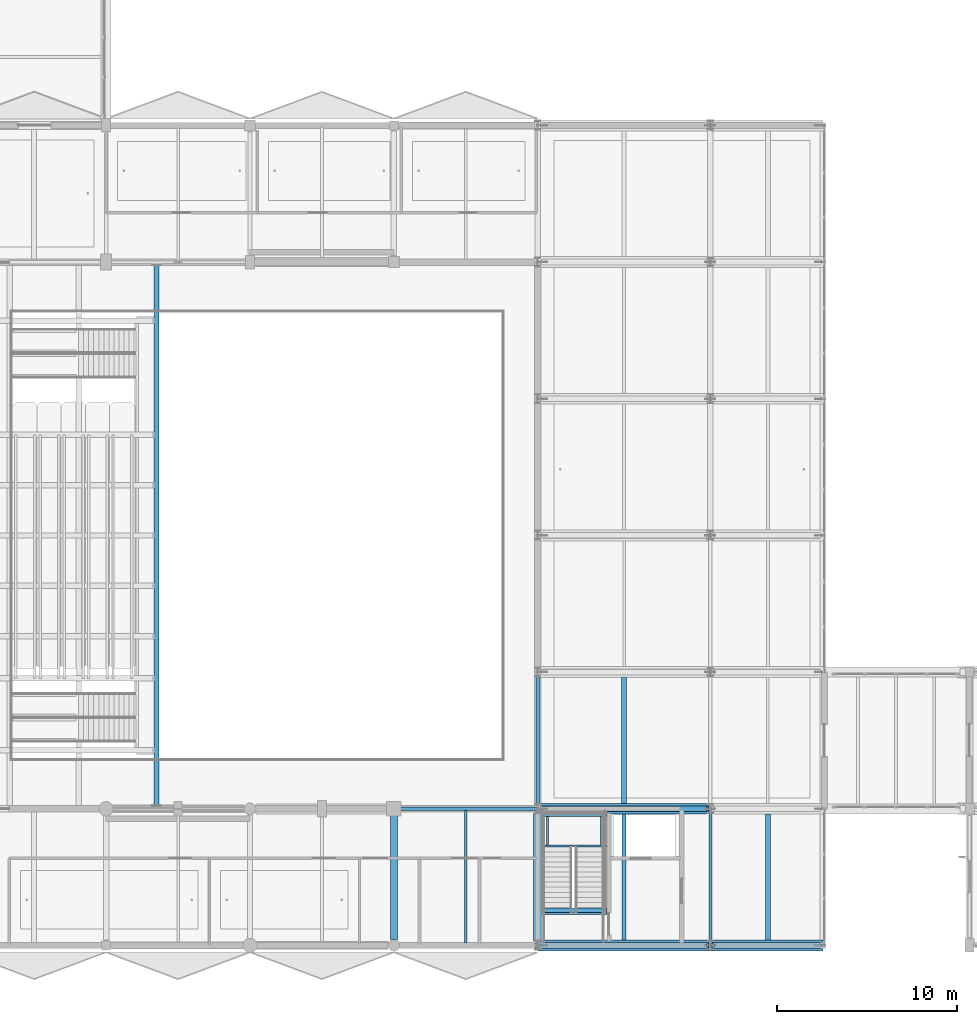
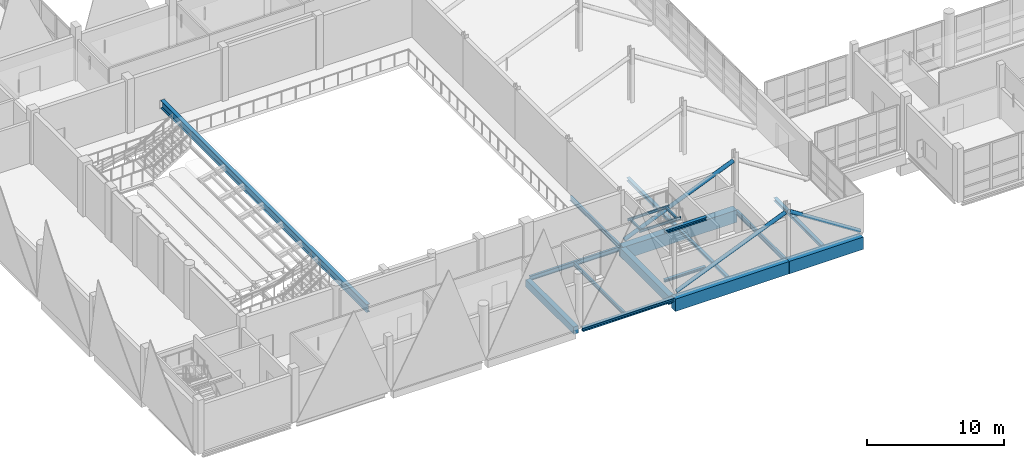
# One storey, part 12 of 141: 20 beams, 3 members.
"""IFC4 building model written with IfcOpenShell, lengths in metres."""

from ifc_helpers import new_model, si_unit, direction, frame, origin, origin_2d, place, context, subcontext, project, spatial, rectangle, hollow_circle, i_section, extrude, material, material_profile, profile_set, type_object, element, save


model = new_model("IFC4")

# Units and contexts
model_context = context("Model", 3, precision=1e-05, world=origin(), true_north=direction((0.0, 1.0)))
body_context = subcontext(model_context, "Body", "Model", "MODEL_VIEW")
ifc_project = project(units=[si_unit("LENGTHUNIT", "METRE"), si_unit("AREAUNIT", "SQUARE_METRE"), si_unit("VOLUMEUNIT", "CUBIC_METRE"), si_unit("PLANEANGLEUNIT", "RADIAN"), si_unit("MASSUNIT", "GRAM", prefix="KILO")], contexts=[model_context])

# Site, building, storey
site_placement = place(None, origin())
site = spatial("IfcSite", under=ifc_project, at=site_placement, CompositionType="ELEMENT")
building_placement = place(site_placement, origin())
building = spatial("IfcBuilding", under=site, at=building_placement, Name="Khelvaren Railside Concert Hall", CompositionType="ELEMENT")
storey_placement = place(building_placement, frame((0.0, 0.0, 10.199951171875)))
storey = spatial("IfcBuildingStorey", under=building, at=storey_placement, Name="L02", CompositionType="ELEMENT", Elevation=10.199951171875)

# Beams
ifc_material_1 = material(Name="Steel S355", Category="steel")
ifc_material_profile_1 = material_profile(ifc_material_1, i_section(OverallWidth=0.179931640625, OverallDepth=0.39990234375, WebThickness=0.008544921875, FlangeThickness=0.013427734375, FilletRadius=0.02099609375, at=origin_2d()), Name="IPE 400")
ifc_profile_set_1 = profile_set([ifc_material_profile_1], Name="Steel S355")
beam_type_1 = type_object("IfcBeamType", Name="BM29", PredefinedType="BEAM", material=ifc_profile_set_1)
beam_1_placement = place(storey_placement, frame((32.27294921875, 7.60009765625, -0.489990234375), z_axis=(1.0, 0.0, 0.0), x_axis=(0.0, 1.0, 0.0)))
element("IfcBeam", 1, at=beam_1_placement, inside=storey, type_object=beam_type_1, Name="V1 L02 Beam X2.5", PredefinedType="BEAM", context=body_context, shape_type="SweptSolid", body=[
    extrude(i_section(OverallWidth=0.179931640625, OverallDepth=0.39990234375, WebThickness=0.008544921875, FlangeThickness=0.013427734375, FilletRadius=0.02099609375, at=origin_2d()), origin(), (0.0, 0.0, 1.0), 7.717041015625),
])
beam_2_placement = place(storey_placement, frame((40.0, 7.85009765625, -0.489990234375), z_axis=(0.0, 1.0, 0.0), x_axis=(-1.0, 0.0, 0.0)))
element("IfcBeam", 2, at=beam_2_placement, inside=storey, type_object=beam_type_1, Name="V1 L02 Beam Y6.2", PredefinedType="BEAM", context=body_context, shape_type="SweptSolid", body=[
    extrude(i_section(OverallWidth=0.179931640625, OverallDepth=0.39990234375, WebThickness=0.008544921875, FlangeThickness=0.013427734375, FilletRadius=0.02099609375, at=origin_2d()), origin(), (0.0, 0.0, 1.0), 7.099853515625),
])
beam_3_placement = place(storey_placement, frame((49.60009765625, 0.25, -0.489990234375), z_axis=(0.0, 1.0, 0.0), x_axis=(-1.0, 0.0, 0.0)))
element("IfcBeam", 3, at=beam_3_placement, inside=storey, type_object=beam_type_1, Name="V1 L02 Beam Y7.1", PredefinedType="BEAM", context=body_context, shape_type="SweptSolid", body=[
    extrude(i_section(OverallWidth=0.179931640625, OverallDepth=0.39990234375, WebThickness=0.008544921875, FlangeThickness=0.013427734375, FilletRadius=0.02099609375, at=origin_2d()), origin(), (0.0, 0.0, 1.0), 7.10009765625),
])
ifc_material_2 = material(Name="Concrete C40/50", Category="concrete")
ifc_material_profile_2 = material_profile(ifc_material_2, rectangle(XDim=0.39990234375, YDim=0.64990234375, at=origin_2d()), Name="RCB 400x650")
ifc_profile_set_2 = profile_set([ifc_material_profile_2], Name="Concrete C40/50")
beam_type_2 = type_object("IfcBeamType", Name="BM33", PredefinedType="BEAM", material=ifc_profile_set_2)
beam_4_placement = place(storey_placement, frame((32.0, 0.3359375, -0.614990234375), z_axis=(0.0, 1.0, 0.0), x_axis=(-1.0, 0.0, 0.0)))
element("IfcBeam", 4, at=beam_4_placement, inside=storey, type_object=beam_type_2, Name="V1 L02 Beam Y5.1", PredefinedType="BEAM", context=body_context, shape_type="SweptSolid", body=[
    extrude(rectangle(XDim=0.39990234375, YDim=0.64990234375, at=origin_2d()), origin(), (0.0, 0.0, 1.0), 6.990966796875),
])
ifc_material_profile_3 = material_profile(ifc_material_1, i_section(OverallWidth=0.239990234375, OverallDepth=0.22998046875, WebThickness=0.007568359375, FlangeThickness=0.011962890625, FilletRadius=0.02099609375, at=origin_2d()), Name="HEA 240")
ifc_profile_set_3 = profile_set([ifc_material_profile_3], Name="Steel S355")
beam_type_3 = type_object("IfcBeamType", Name="BM42", PredefinedType="BEAM", material=ifc_profile_set_3)
beam_5_placement = place(storey_placement, frame((40.344970703125, 1.960693359375, -0.114990234375), z_axis=(1.0, 0.0, 0.0), x_axis=(0.0, 1.0, 0.0)))
element("IfcBeam", 5, at=beam_5_placement, inside=storey, type_object=beam_type_3, Name="ST-02 L02 Stair Foot Trimmer Beam", PredefinedType="BEAM", context=body_context, shape_type="SweptSolid", body=[
    extrude(i_section(OverallWidth=0.239990234375, OverallDepth=0.22998046875, WebThickness=0.007568359375, FlangeThickness=0.011962890625, FilletRadius=0.02099609375, at=origin_2d()), origin(), (0.0, 0.0, 1.0), 3.4951171875),
])
ifc_material_profile_4 = material_profile(ifc_material_2, rectangle(XDim=0.449951171875, YDim=0.75, at=origin_2d()), Name="RCB 450x750")
ifc_profile_set_4 = profile_set([ifc_material_profile_4], Name="Concrete C40/50")
beam_type_4 = type_object("IfcBeamType", Name="BM83", PredefinedType="BEAM", material=ifc_profile_set_4)
beam_6_placement = place(storey_placement, frame((40.0, 0.25, -0.6650390625), z_axis=(0.0, 1.0, 0.0), x_axis=(-1.0, 0.0, 0.0)))
element("IfcBeam", 6, at=beam_6_placement, inside=storey, type_object=beam_type_4, Name="V1 L02 Beam Y6.1", PredefinedType="BEAM", context=body_context, shape_type="SweptSolid", body=[
    extrude(rectangle(XDim=0.449951171875, YDim=0.75, at=origin_2d()), origin(), (0.0, 0.0, 1.0), 7.10009765625),
])
ifc_material_profile_5 = material_profile(ifc_material_1, i_section(OverallWidth=0.110107421875, OverallDepth=0.219970703125, WebThickness=0.005859375, FlangeThickness=0.00927734375, FilletRadius=0.011962890625, at=origin_2d()), Name="IPE 220")
ifc_profile_set_5 = profile_set([ifc_material_profile_5], Name="Steel S355")
beam_type_5 = type_object("IfcBeamType", Name="BM87", PredefinedType="BEAM", material=ifc_profile_set_5)
for number, where, z_axis, x_axis, name in (
    (7, (40.344970703125, 5.544921875, 2.090087890625), (1.0, 0.0, 0.0), (0.0, 1.0, 0.0), "ST-02 L02 Half-Landing Front Beam"),
    (8, (40.344970703125, 7.239990234375, 2.090087890625), (1.0, 0.0, 0.0), (0.0, 1.0, 0.0), "ST-02 L02 Half-Landing Rear Beam"),
):
    element("IfcBeam", number, at=place(storey_placement, frame(where, z_axis=z_axis, x_axis=x_axis)), inside=storey, type_object=beam_type_5, Name=name, PredefinedType="BEAM", context=body_context, shape_type="SweptSolid", body=[
        extrude(i_section(OverallWidth=0.110107421875, OverallDepth=0.219970703125, WebThickness=0.005859375, FlangeThickness=0.00927734375, FilletRadius=0.011962890625, at=origin_2d()), origin(), (0.0, 0.0, 1.0), 3.4951171875),
    ])
for number, where, z_axis, x_axis, name in (
    (9, (40.550048828125, 5.60009765625, 2.090087890625), (0.0, 1.0, 0.0), (-1.0, 0.0, 0.0), "ST-02 L02 Half-Landing Side Tie W"),
    (10, (43.550048828125, 5.60009765625, 2.090087890625), (0.0, 1.0, 0.0), (-1.0, 0.0, 0.0), "ST-02 L02 Half-Landing Side Tie E"),
):
    element("IfcBeam", number, at=place(storey_placement, frame(where, z_axis=z_axis, x_axis=x_axis)), inside=storey, type_object=beam_type_5, Name=name, PredefinedType="BEAM", context=body_context, shape_type="SweptSolid", body=[
        extrude(i_section(OverallWidth=0.110107421875, OverallDepth=0.219970703125, WebThickness=0.005859375, FlangeThickness=0.00927734375, FilletRadius=0.011962890625, at=origin_2d()), origin(), (0.0, 0.0, 1.0), 1.5849609375),
    ])
ifc_material_profile_6 = material_profile(ifc_material_1, i_section(OverallWidth=0.280029296875, OverallDepth=0.27001953125, WebThickness=0.008056640625, FlangeThickness=0.012939453125, FilletRadius=0.02392578125, at=origin_2d()), Name="HEA 280")
ifc_profile_set_6 = profile_set([ifc_material_profile_6], Name="Steel S355")
beam_type_6 = type_object("IfcBeamType", Name="BM93", PredefinedType="BEAM", material=ifc_profile_set_6)
beam_7_placement = place(storey_placement, frame((40.344970703125, 1.860107421875, 4.317626953125), z_axis=(1.0, 0.0, 0.0), x_axis=(0.0, 1.0, 0.0)))
element("IfcBeam", 11, at=beam_7_placement, inside=storey, type_object=beam_type_6, Name="ST-02 L02 Stair Top Arrival Trimmer Beam", PredefinedType="BEAM", context=body_context, shape_type="SweptSolid", body=[
    extrude(i_section(OverallWidth=0.280029296875, OverallDepth=0.27001953125, WebThickness=0.008056640625, FlangeThickness=0.012939453125, FilletRadius=0.02392578125, at=origin_2d()), origin(), (0.0, 0.0, 1.0), 3.4951171875),
])

# Members
ifc_material_profile_7 = material_profile(ifc_material_1, hollow_circle(Radius=0.161865234375, WallThickness=0.01611328125, at=origin_2d()), Name="CHS 323.9x16")
ifc_profile_set_7 = profile_set([ifc_material_profile_7], Name="Steel S355")
member_type = type_object("IfcMemberType", Name="BR78", PredefinedType="BRACE", material=ifc_profile_set_7)
member_placement = place(storey_placement, frame((49.75, 0.0, 3.969970703125), z_axis=(0.841509273877, 0.0, -0.540242669528), x_axis=(0.0, 1.0, 0.0)))
element("IfcMember", 12, at=member_placement, inside=storey, type_object=member_type, Name="V1 L02 Plaza Cantilever Truss Diagonal 1A", PredefinedType="BRACE", context=body_context, shape_type="SweptSolid", body=[
    extrude(hollow_circle(Radius=0.161865234375, WallThickness=0.01611328125, at=origin_2d()), origin(), (0.0, 0.0, 1.0), 7.070556640625),
])
for number, where, z_axis, x_axis, name in (
    (13, (40.25, 0.0, 0.150146484375), (0.923556947284, 0.0, 0.38346129547), (0.0, 1.0, 0.0), "V1 L02 Plaza Cantilever Truss Backspan Diagonal 1B"),
    (14, (40.25, 7.60009765625, 0.150146484375), (0.923556947284, 0.0, 0.38346129547), (0.0, 1.0, 0.0), "V1 L02 Plaza Cantilever Truss Backspan Diagonal 2B"),
):
    element("IfcMember", number, at=place(storey_placement, frame(where, z_axis=z_axis, x_axis=x_axis)), inside=storey, type_object=member_type, Name=name, PredefinedType="BRACE", context=body_context, shape_type="SweptSolid", body=[
        extrude(hollow_circle(Radius=0.161865234375, WallThickness=0.01611328125, at=origin_2d()), origin(), (0.0, 0.0, 1.0), 9.96142578125),
    ])

# Beams
ifc_material_profile_8 = material_profile(ifc_material_2, rectangle(XDim=0.60009765625, YDim=1.10009765625, at=origin_2d()), Name="RCB 600x1100")
ifc_profile_set_8 = profile_set([ifc_material_profile_8], Name="Concrete C40/50")
beam_type_7 = type_object("IfcBeamType", Name="GR15", PredefinedType="T_BEAM", material=ifc_profile_set_8)
beam_8_placement = place(storey_placement, frame((40.010009765625, 0.0, -0.83984375), z_axis=(1.0, 0.0, 0.0), x_axis=(0.0, 1.0, 0.0)))
element("IfcBeam", 15, at=beam_8_placement, inside=storey, type_object=beam_type_7, Name="V1 L02 Cantilever Backspan Girder 1", PredefinedType="T_BEAM", context=body_context, shape_type="SweptSolid", body=[
    extrude(rectangle(XDim=0.60009765625, YDim=1.10009765625, at=origin_2d()), origin(), (0.0, 0.0, 1.0), 9.580078125),
])
beam_9_placement = place(storey_placement, frame((49.610107421875, 0.0, -0.83984375), z_axis=(1.0, 0.0, 0.0), x_axis=(0.0, 1.0, 0.0)))
element("IfcBeam", 16, at=beam_9_placement, inside=storey, type_object=beam_type_7, Name="V1 L02 Arrival Cantilever Girder 1", PredefinedType="T_BEAM", context=body_context, shape_type="SweptSolid", body=[
    extrude(rectangle(XDim=0.60009765625, YDim=1.10009765625, at=origin_2d()), origin(), (0.0, 0.0, 1.0), 6.239990234375),
])
beam_10_placement = place(storey_placement, frame((40.010009765625, 7.60009765625, -0.83984375), z_axis=(1.0, 0.0, 0.0), x_axis=(0.0, 1.0, 0.0)))
element("IfcBeam", 17, at=beam_10_placement, inside=storey, type_object=beam_type_7, Name="V1 L02 Cantilever Backspan Girder 2", PredefinedType="T_BEAM", context=body_context, shape_type="SweptSolid", body=[
    extrude(rectangle(XDim=0.60009765625, YDim=1.10009765625, at=origin_2d()), origin(), (0.0, 0.0, 1.0), 9.580078125),
])
ifc_material_profile_9 = material_profile(ifc_material_1, i_section(OverallWidth=0.300048828125, OverallDepth=0.699951171875, WebThickness=0.01708984375, FlangeThickness=0.031982421875, FilletRadius=0.027099609375, at=origin_2d()), Name="HEB 700")
ifc_profile_set_9 = profile_set([ifc_material_profile_9], Name="Steel S355")
beam_type_8 = type_object("IfcBeamType", Name="GR85", PredefinedType="T_BEAM", material=ifc_profile_set_9)
beam_11_placement = place(storey_placement, frame((18.800048828125, 7.77001953125, 1.43994140625), z_axis=(0.0, 1.0, 0.0), x_axis=(-1.0, 0.0, 0.0)))
element("IfcBeam", 18, at=beam_11_placement, inside=storey, type_object=beam_type_8, Name="V1-L02 Balcony Raker Support Girder", PredefinedType="T_BEAM", context=body_context, shape_type="SweptSolid", body=[
    extrude(i_section(OverallWidth=0.300048828125, OverallDepth=0.699951171875, WebThickness=0.01708984375, FlangeThickness=0.031982421875, FilletRadius=0.027099609375, at=origin_2d()), origin(), (0.0, 0.0, 1.0), 30.06005859375),
])
ifc_material_profile_10 = material_profile(ifc_material_1, i_section(OverallWidth=0.280029296875, OverallDepth=0.27001953125, WebThickness=0.008056640625, FlangeThickness=0.012939453125, FilletRadius=0.02392578125, at=origin_2d()), Name="HEA 280")
ifc_profile_set_10 = profile_set([ifc_material_profile_10], Name="Steel S355")
beam_type_9 = type_object("IfcBeamType", Name="JS46", PredefinedType="JOIST", material=ifc_profile_set_10)
for number, where, z_axis, x_axis, name in (
    (19, (44.800048828125, 7.89990234375, -0.425048828125), (0.0, 1.0, 0.0), (-1.0, 0.0, 0.0), "V1 L02 Secondary Joist 6.2"),
    (20, (52.800048828125, 0.300048828125, -0.425048828125), (0.0, 1.0, 0.0), (-1.0, 0.0, 0.0), "V1 L02 Secondary Joist 7.1"),
):
    element("IfcBeam", number, at=place(storey_placement, frame(where, z_axis=z_axis, x_axis=x_axis)), inside=storey, type_object=beam_type_9, Name=name, PredefinedType="JOIST", context=body_context, shape_type="SweptSolid", body=[
        extrude(i_section(OverallWidth=0.280029296875, OverallDepth=0.27001953125, WebThickness=0.008056640625, FlangeThickness=0.012939453125, FilletRadius=0.02392578125, at=origin_2d()), origin(), (0.0, 0.0, 1.0), 7.0),
    ])
ifc_material_profile_11 = material_profile(ifc_material_1, i_section(OverallWidth=0.159912109375, OverallDepth=0.330078125, WebThickness=0.007568359375, FlangeThickness=0.011474609375, FilletRadius=0.01806640625, at=origin_2d()), Name="IPE 330")
ifc_profile_set_11 = profile_set([ifc_material_profile_11], Name="Steel S355")
beam_type_10 = type_object("IfcBeamType", Name="JS65", PredefinedType="JOIST", material=ifc_profile_set_11)
beam_12_placement = place(storey_placement, frame((36.0, 0.14990234375, -0.454833984375), z_axis=(0.0, 1.0, 0.0), x_axis=(-1.0, 0.0, 0.0)))
element("IfcBeam", 21, at=beam_12_placement, inside=storey, type_object=beam_type_10, Name="V1 L02 Secondary Joist 5.1", PredefinedType="JOIST", context=body_context, shape_type="SweptSolid", body=[
    extrude(i_section(OverallWidth=0.159912109375, OverallDepth=0.330078125, WebThickness=0.007568359375, FlangeThickness=0.011474609375, FilletRadius=0.01806640625, at=origin_2d()), origin(), (0.0, 0.0, 1.0), 7.360107421875),
])
ifc_material_profile_12 = material_profile(ifc_material_1, i_section(OverallWidth=0.239990234375, OverallDepth=0.22998046875, WebThickness=0.007568359375, FlangeThickness=0.011962890625, FilletRadius=0.02099609375, at=origin_2d()), Name="HEA 240")
ifc_profile_set_12 = profile_set([ifc_material_profile_12], Name="Steel S355")
beam_type_11 = type_object("IfcBeamType", Name="JS76", PredefinedType="JOIST", material=ifc_profile_set_12)
beam_13_placement = place(storey_placement, frame((44.800048828125, 0.300048828125, -0.405029296875), z_axis=(0.0, 1.0, 0.0), x_axis=(-1.0, 0.0, 0.0)))
element("IfcBeam", 22, at=beam_13_placement, inside=storey, type_object=beam_type_11, Name="V1 L02 Secondary Joist 6.1", PredefinedType="JOIST", context=body_context, shape_type="SweptSolid", body=[
    extrude(i_section(OverallWidth=0.239990234375, OverallDepth=0.22998046875, WebThickness=0.007568359375, FlangeThickness=0.011962890625, FilletRadius=0.02099609375, at=origin_2d()), origin(), (0.0, 0.0, 1.0), 7.0),
])
ifc_material_profile_13 = material_profile(ifc_material_1, i_section(OverallWidth=0.300048828125, OverallDepth=0.31005859375, WebThickness=0.009033203125, FlangeThickness=0.015380859375, FilletRadius=0.027099609375, at=origin_2d()), Name="HEA 320")
ifc_profile_set_13 = profile_set([ifc_material_profile_13], Name="Steel S355")
beam_type_12 = type_object("IfcBeamType", Name="SP66", PredefinedType="SPANDREL", material=ifc_profile_set_13)
beam_14_placement = place(storey_placement, frame((32.3359375, 0.0, -0.445068359375), z_axis=(1.0, 0.0, 0.0), x_axis=(0.0, 1.0, 0.0)))
element("IfcBeam", 23, at=beam_14_placement, inside=storey, type_object=beam_type_12, Name="V1 L02 Spandrel X1.5", PredefinedType="SPANDREL", context=body_context, shape_type="SweptSolid", body=[
    extrude(i_section(OverallWidth=0.300048828125, OverallDepth=0.31005859375, WebThickness=0.009033203125, FlangeThickness=0.015380859375, FilletRadius=0.027099609375, at=origin_2d()), origin(), (0.0, 0.0, 1.0), 7.654052734375),
])

save(model, "model.ifc")
